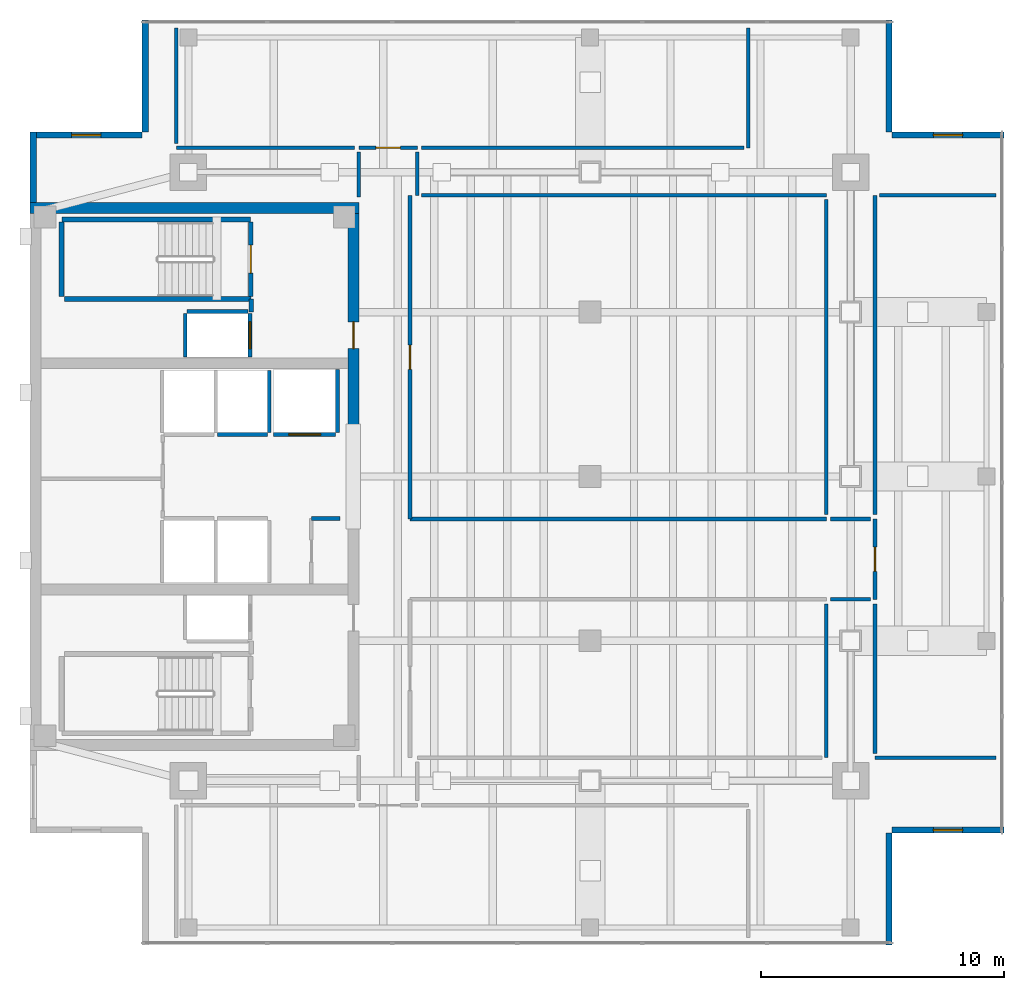
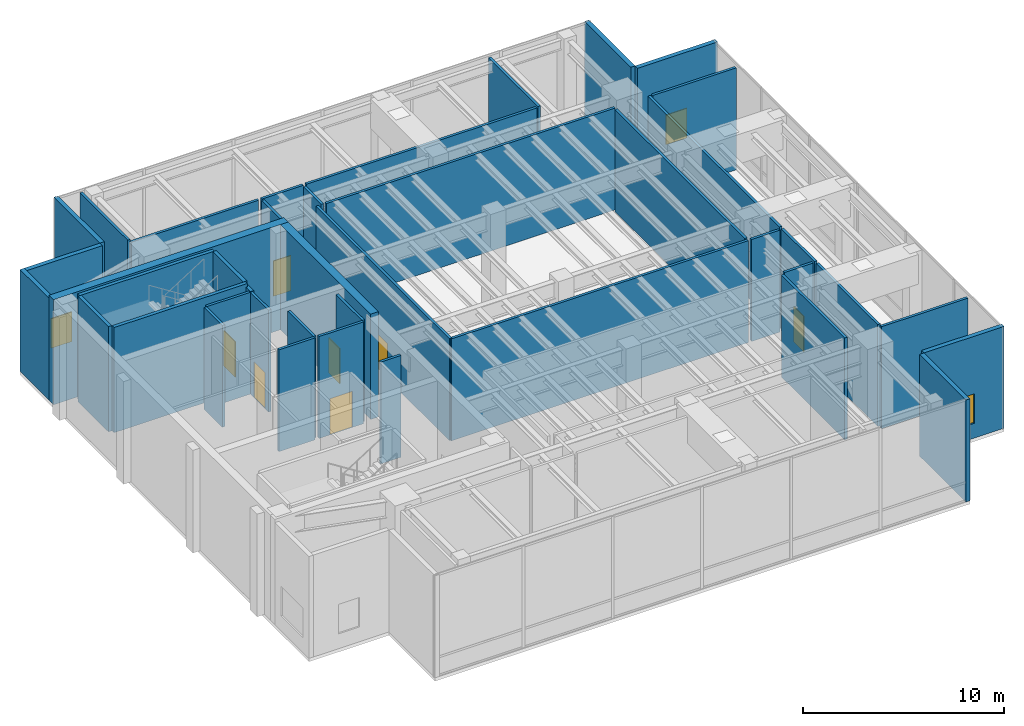
# One storey, part 9 of 11: 41 walls, 7 doors, 3 windows, 10 openings.
"""IFC4 building model written with IfcOpenShell, lengths in metres."""

import ifcopenshell
import ifcopenshell.guid

model = None  # the IFC model being written
_history = None  # IfcOwnerHistory: only IFC2X3 demands one
_inside = {}  # id of a spatial element -> (the spatial element, [elements in it])
_under = {}  # id of a project, library or spatial element -> (it, [spatial elements below it])
_declared = {}  # id of a project -> (the project, [libraries it declares])
_typed = {}  # id of a type object -> (the type object, [elements of that type])
_made_of = {}  # id of a material, layer set ... -> (it, [elements and type objects made of it])


def new_model(schema):
    """Start an empty IFC model of exactly this schema.

    Asked for "IFC4X3", IfcOpenShell would pick the latest addendum, in which some entities
    have other attributes; the version numbers below select the first issue.
    IFC2X3 requires an IfcOwnerHistory on every rooted entity: one is made here for all.
    """
    global model, _history
    if schema == "IFC4X3":
        model = ifcopenshell.file(schema_version=(4, 3, 0, 0))
    else:
        model = ifcopenshell.file(schema=schema)
    _inside.clear()
    _under.clear()
    _declared.clear()
    _typed.clear()
    _made_of.clear()
    _history = None
    if model.schema == "IFC2X3":
        org = make("IfcOrganization", Name="unknown")
        user = make(
            "IfcPersonAndOrganization",
            ThePerson=make("IfcPerson", FamilyName="unknown"),
            TheOrganization=org,
        )
        app = make(
            "IfcApplication",
            ApplicationDeveloper=org,
            Version="unknown",
            ApplicationFullName="unknown",
            ApplicationIdentifier="unknown",
        )
        _history = make(
            "IfcOwnerHistory",
            OwningUser=user,
            OwningApplication=app,
            ChangeAction="ADDED",
            CreationDate=0,
        )
    return model


def make(cls, **values):
    """One entity of the class cls with the attributes given. An attribute that is None is left unset."""
    return model.create_entity(
        cls, **{name: value for name, value in values.items() if value is not None}
    )


def rooted(cls, **values):
    """An entity with a GlobalId (a new one), such as an element, a storey or a relation."""
    return make(cls, GlobalId=ifcopenshell.guid.new(), OwnerHistory=_history, **values)


def si_unit(unit_type, name, prefix=None):
    """IfcSIUnit, for example si_unit("LENGTHUNIT", "METRE", prefix="MILLI")."""
    return make("IfcSIUnit", UnitType=unit_type, Prefix=prefix, Name=name)


def assignment(units):
    """IfcUnitAssignment: the units of a project."""
    return None if units is None else make("IfcUnitAssignment", Units=units)


def point(xyz):
    """IfcCartesianPoint."""
    return None if xyz is None else make("IfcCartesianPoint", Coordinates=xyz)


def direction(xyz):
    """IfcDirection."""
    return None if xyz is None else make("IfcDirection", DirectionRatios=xyz)


def frame(location, z_axis=None, x_axis=None):
    """IfcAxis2Placement3D, a coordinate frame: its origin and axes. An axis left out is left unset."""
    return make(
        "IfcAxis2Placement3D",
        Location=point(location),
        Axis=direction(z_axis),
        RefDirection=direction(x_axis),
    )


def frame_2d(location, x_axis=None):
    """IfcAxis2Placement2D, a coordinate frame in the plane: its origin and x axis."""
    return make(
        "IfcAxis2Placement2D", Location=point(location), RefDirection=direction(x_axis)
    )


def origin():
    """The frame at (0, 0, 0) with its axes left unset."""
    return frame((0.0, 0.0, 0.0))


def place(relative_to, where):
    """IfcLocalPlacement: puts the frame where relative to a parent placement (None: the world)."""
    return make(
        "IfcLocalPlacement", PlacementRelTo=relative_to, RelativePlacement=where
    )


def context(
    kind, dimensions, precision=None, world=None, true_north=None, identifier=None
):
    """IfcGeometricRepresentationContext, for example the 3D "Model" context."""
    return make(
        "IfcGeometricRepresentationContext",
        ContextIdentifier=identifier,
        ContextType=kind,
        CoordinateSpaceDimension=dimensions,
        Precision=precision,
        WorldCoordinateSystem=world,
        TrueNorth=true_north,
    )


def subcontext(parent, identifier, kind, view, scale=None):
    """IfcGeometricRepresentationSubContext, for example "Body" below "Model"."""
    return make(
        "IfcGeometricRepresentationSubContext",
        ContextIdentifier=identifier,
        ContextType=kind,
        ParentContext=parent,
        TargetScale=scale,
        TargetView=view,
    )


def project(units=None, contexts=None):
    """IfcProject with its units and contexts."""
    return rooted(
        "IfcProject",
        Name="project",
        RepresentationContexts=contexts,
        UnitsInContext=assignment(units),
    )


def spatial(cls, under=None, at=None, **own):
    """A site, building, storey or space (cls), placed at a placement, below another one or the project."""
    s = rooted(cls, ObjectPlacement=at, **own)
    if under is not None:
        _under.setdefault(under.id(), (under, []))[1].append(s)
    return s


def profile(cls, at=None, kind="AREA", **sizes):
    """A parametric profile (cls). Its sizes go by their IFC names, for example OverallWidth=200.0."""
    return make(cls, ProfileType=kind, Position=at, **sizes)


def rectangle(**sizes):
    """IfcRectangleProfileDef."""
    return profile("IfcRectangleProfileDef", **sizes)


def extrude(swept, where, along, depth):
    """IfcExtrudedAreaSolid: the profile swept, set in the frame where, extruded along a direction by depth."""
    return make(
        "IfcExtrudedAreaSolid",
        SweptArea=swept,
        Position=where,
        ExtrudedDirection=direction(along),
        Depth=depth,
    )


def shape(context_of_items, identifier, shape_type, items):
    """IfcShapeRepresentation: the items that make up one representation, for example the "Body"."""
    return make(
        "IfcShapeRepresentation",
        ContextOfItems=context_of_items,
        RepresentationIdentifier=identifier,
        RepresentationType=shape_type,
        Items=items,
    )


def material(Name=None, Category=None):
    """IfcMaterial."""
    return make("IfcMaterial", Name=Name, Category=Category)


def layer(
    of_material, thickness, ventilated=None, Name=None, Category=None, Priority=None
):
    """IfcMaterialLayer: one layer of a wall or slab, of a material (None: an air gap)."""
    return make(
        "IfcMaterialLayer",
        Material=of_material,
        LayerThickness=thickness,
        IsVentilated=ventilated,
        Name=Name,
        Category=Category,
        Priority=Priority,
    )


def layer_set(layers, Name=None):
    """IfcMaterialLayerSet."""
    return make("IfcMaterialLayerSet", MaterialLayers=layers, LayerSetName=Name)


def made_of(thing, what):
    """Note that an element or type object is made of a material, layer set ...; save() writes the relation."""
    if what is not None:
        _made_of.setdefault(what.id(), (what, []))[1].append(thing)
    return thing


def type_object(cls, material=None, **own):
    """A type object (cls), such as IfcWallType, which elements share."""
    return made_of(rooted(cls, **own), material)


def element(
    cls,
    number,
    at=None,
    inside=None,
    cuts=None,
    type_object=None,
    material=None,
    context=None,
    identifier="Body",
    shape_type=None,
    held_by="IfcProductDefinitionShape",
    body=None,
    shapes=None,
    **own,
):
    """One element of the class cls, such as IfcWall. Its Tag is "e" and its number.

    at: its placement. inside: the storey or other place that contains it. cuts: it is an
    opening in that element (IfcRelVoidsElement). A single representation is given by context,
    identifier, shape_type and body (its items); several are given by shapes. held_by: the class
    of the entity that holds the representations. save() writes the other relations.
    """
    e = rooted(cls, Tag="e%d" % number, ObjectPlacement=at, **own)
    if body is not None:
        shapes = [shape(context, identifier, shape_type, body)]
    if shapes is not None:
        e.Representation = make(held_by, Representations=shapes)
    if inside is not None:
        _inside.setdefault(inside.id(), (inside, []))[1].append(e)
    if cuts is not None:
        rooted(
            "IfcRelVoidsElement", RelatingBuildingElement=cuts, RelatedOpeningElement=e
        )
    if type_object is not None:
        _typed.setdefault(type_object.id(), (type_object, []))[1].append(e)
    return made_of(e, material)


def fill(opening, filler):
    """IfcRelFillsElement: the door or window that sits in an opening."""
    return rooted(
        "IfcRelFillsElement",
        RelatingOpeningElement=opening,
        RelatedBuildingElement=filler,
    )


def aggregate(whole, parts):
    """IfcRelAggregates: a whole, such as a stair, and the parts it consists of."""
    return rooted("IfcRelAggregates", RelatingObject=whole, RelatedObjects=parts)


def save(model, path):
    """Write the relations noted so far, then the file.

    IfcRelAggregates (storeys below a building ...), IfcRelContainedInSpatialStructure (elements
    in a storey), IfcRelDefinesByType, IfcRelAssociatesMaterial and IfcRelDeclares: one each for
    every whole, place, type object, material and project.
    """
    for whole, parts in _under.values():
        aggregate(whole, parts)
    for where, things in _inside.values():
        rooted(
            "IfcRelContainedInSpatialStructure",
            RelatedElements=things,
            RelatingStructure=where,
        )
    for kind, things in _typed.values():
        rooted("IfcRelDefinesByType", RelatedObjects=things, RelatingType=kind)
    for what, things in _made_of.values():
        rooted("IfcRelAssociatesMaterial", RelatedObjects=things, RelatingMaterial=what)
    for by, libraries in _declared.values():
        rooted("IfcRelDeclares", RelatingContext=by, RelatedDefinitions=libraries)
    model.write(path)


model = new_model("IFC4")

# Units and contexts
model_context = context("Model", 3, precision=1e-05, world=origin(), true_north=direction((0.0, 1.0)))
body_context = subcontext(model_context, "Body", "Model", "MODEL_VIEW")
ifc_project = project(units=[si_unit("LENGTHUNIT", "METRE"), si_unit("AREAUNIT", "SQUARE_METRE"), si_unit("VOLUMEUNIT", "CUBIC_METRE"), si_unit("PLANEANGLEUNIT", "RADIAN"), si_unit("MASSUNIT", "GRAM", prefix="KILO")], contexts=[model_context])

# Site, building, storey
site_placement = place(None, origin())
site = spatial("IfcSite", under=ifc_project, at=site_placement, CompositionType="ELEMENT")
building_placement = place(site_placement, origin())
building = spatial("IfcBuilding", under=site, at=building_placement, Name="Kinhvarn Gate Tower", CompositionType="ELEMENT")
storey_placement = place(building_placement, frame((0.0, 0.0, 296.64990234375)))
storey = spatial("IfcBuildingStorey", under=building, at=storey_placement, Name="L79", CompositionType="ELEMENT", Elevation=296.64990234375)

# Wall
ifc_material_1 = material(Name="Concrete C50/60", Category="concrete")
ifc_layer_1 = layer(ifc_material_1, 0.449951171875)
ifc_layer_set_1 = layer_set([ifc_layer_1], Name="Concrete C50/60")
wall_type_1 = type_object("IfcWallType", Name="WL-CORE-450", PredefinedType="SHEAR", material=ifc_layer_set_1)
wall_1_placement = place(storey_placement, frame((4.5, 36.27490234375, 0.0), z_axis=(0.0, 0.0, 1.0), x_axis=(1.0, 0.0, 0.0)))
element("IfcWall", 1, at=wall_1_placement, inside=storey, type_object=wall_type_1, Name="Core North Shear Wall L79 450 mm", PredefinedType="SHEAR", context=body_context, shape_type="SweptSolid", body=[
    extrude(rectangle(XDim=13.5, YDim=0.449951171875, at=frame_2d((6.75, 0.0))), origin(), (0.0, 0.0, 1.0), 6.400146484375),
])

# Wall, opening, door
wall_2_placement = place(storey_placement, frame((17.77490234375, 27.050048828125, 0.0), z_axis=(0.0, 0.0, 1.0), x_axis=(0.0, 1.0, 0.0)))
wall_2 = element("IfcWall", 2, at=wall_2_placement, inside=storey, type_object=wall_type_1, Name="Core East-North Shear Pier L79 450 mm", PredefinedType="SHEAR", context=body_context, shape_type="SweptSolid", body=[
    extrude(rectangle(XDim=9.0, YDim=0.449951171875, at=frame_2d((4.5, 0.0))), origin(), (0.0, 0.0, 1.0), 6.400146484375),
])
opening_1_placement = place(wall_2_placement, frame((3.449951171875, 0.0, 0.0)))
opening_1 = element("IfcOpeningElement", 3, at=opening_1_placement, cuts=wall_2, Name="Opening FD-02", PredefinedType="OPENING", context=body_context, shape_type="SweptSolid", body=[
    extrude(rectangle(XDim=1.10009765625, YDim=2.14990234375, at=frame_2d((0.550048828125, 1.074951171875))), frame((0.0, 0.23486328125, 0.0), z_axis=(0.0, -1.0, 0.0), x_axis=(1.0, 0.0, 0.0)), (0.0, 0.0, 1.0), 0.469970703125),
])
ifc_material_2 = material(Name="Anodised aluminium AW-6063", Category="aluminium")
door_type_1 = type_object("IfcDoorType", Name="DR-FD-1100", OperationType="NOTDEFINED", PredefinedType="DOOR", material=ifc_material_2)
door_1_placement = place(opening_1_placement, origin())
door_1 = element("IfcDoor", 4, at=door_1_placement, inside=storey, type_object=door_type_1, Name="Firefighting Lobby Core Door (L79)", OperationType="SINGLE_SWING_LEFT", OverallHeight=2.14990234375, OverallWidth=1.10009765625, PredefinedType="DOOR", context=body_context, shape_type="SweptSolid", body=[
    extrude(rectangle(XDim=1.10009765625, YDim=2.14990234375, at=frame_2d((0.550048828125, 1.074951171875))), frame((0.0, 0.02490234375, 0.0), z_axis=(0.0, -1.0, 0.0), x_axis=(1.0, 0.0, 0.0)), (0.0, 0.0, 1.0), 0.050048828125),
])
fill(opening_1, door_1)

# Walls
ifc_material_3 = material(Name="Fired architectural terracotta", Category="masonry")
ifc_layer_2 = layer(ifc_material_3, 0.25)
ifc_layer_set_2 = layer_set([ifc_layer_2], Name="Fired architectural terracotta")
wall_type_2 = type_object("IfcWallType", Name="WL-EXT-250", PredefinedType="SOLIDWALL", material=ifc_layer_set_2)
wall_3_placement = place(storey_placement, frame((4.625, 39.39990234375, 0.0), z_axis=(0.0, 0.0, 1.0), x_axis=(0.0, -1.0, 0.0)))
element("IfcWall", 5, at=wall_3_placement, inside=storey, type_object=wall_type_2, Name="Exterior Solidwall Wall EW-250 (L79 West-North)", PredefinedType="SOLIDWALL", context=body_context, shape_type="SweptSolid", body=[
    extrude(rectangle(XDim=2.89990234375, YDim=0.25, at=frame_2d((1.449951171875, 0.0))), origin(), (0.0, 0.0, 1.0), 6.2001953125),
])
wall_4_placement = place(storey_placement, frame((39.77490234375, 6.0, 0.0), z_axis=(0.0, 0.0, 1.0), x_axis=(0.0, 1.0, 0.0)))
element("IfcWall", 6, at=wall_4_placement, inside=storey, type_object=wall_type_2, Name="Exterior Solidwall Wall EW-250 (L79 SE-Notch-1)", PredefinedType="SOLIDWALL", context=body_context, shape_type="SweptSolid", body=[
    extrude(rectangle(XDim=4.60009765625, YDim=0.25, at=frame_2d((2.300048828125, 0.0))), origin(), (0.0, 0.0, 1.0), 6.2001953125),
])

# Wall, opening, window
wall_5_placement = place(storey_placement, frame((39.89990234375, 10.72509765625, 0.0), z_axis=(0.0, 0.0, 1.0), x_axis=(1.0, 0.0, 0.0)))
wall_5 = element("IfcWall", 7, at=wall_5_placement, inside=storey, type_object=wall_type_2, Name="Exterior Solidwall Wall EW-250 (L79 SE-Notch-2)", PredefinedType="SOLIDWALL", context=body_context, shape_type="SweptSolid", body=[
    extrude(rectangle(XDim=4.60009765625, YDim=0.25, at=frame_2d((2.300048828125, 0.0))), origin(), (0.0, 0.0, 1.0), 6.2001953125),
])
opening_2_placement = place(wall_5_placement, frame((1.699951171875, 0.0, 0.89990234375)))
opening_2 = element("IfcOpeningElement", 8, at=opening_2_placement, cuts=wall_5, Name="Opening WN-02", PredefinedType="OPENING", context=body_context, shape_type="SweptSolid", body=[
    extrude(rectangle(XDim=1.199951171875, YDim=1.800048828125, at=frame_2d((0.60009765625, 0.89990234375))), frame((0.0, 0.135009765625, 0.0), z_axis=(0.0, -1.0, 0.0), x_axis=(1.0, 0.0, 0.0)), (0.0, 0.0, 1.0), 0.27001953125),
])
ifc_material_4 = material(Name="Clear low-e double glazing", Category="glass")
window_type = type_object("IfcWindowType", Name="WIN-NTC-1200", PartitioningType="SINGLE_PANEL", PredefinedType="WINDOW", material=ifc_material_4)
window_1_placement = place(opening_2_placement, origin())
window_1 = element("IfcWindow", 9, at=window_1_placement, inside=storey, type_object=window_type, Name="Recessed Corner Notch Punched Window 1200x1800 mm (L79)", OverallHeight=1.800048828125, OverallWidth=1.199951171875, PartitioningType="SINGLE_PANEL", PredefinedType="WINDOW", context=body_context, shape_type="SweptSolid", body=[
    extrude(rectangle(XDim=1.199951171875, YDim=1.800048828125, at=frame_2d((0.60009765625, 0.89990234375))), frame((0.0, 0.030029296875, 0.0), z_axis=(0.0, -1.0, 0.0), x_axis=(1.0, 0.0, 0.0)), (0.0, 0.0, 1.0), 0.06005859375),
])
fill(opening_2, window_1)

wall_6_placement = place(storey_placement, frame((44.5, 39.27490234375, 0.0), z_axis=(0.0, 0.0, 1.0), x_axis=(-1.0, 0.0, 0.0)))
wall_6 = element("IfcWall", 10, at=wall_6_placement, inside=storey, type_object=wall_type_2, Name="Exterior Solidwall Wall EW-250 (L79 NE-Notch-1)", PredefinedType="SOLIDWALL", context=body_context, shape_type="SweptSolid", body=[
    extrude(rectangle(XDim=4.60009765625, YDim=0.25, at=frame_2d((2.300048828125, 0.0))), origin(), (0.0, 0.0, 1.0), 6.2001953125),
])
opening_3_placement = place(wall_6_placement, frame((1.699951171875, 0.0, 0.89990234375)))
opening_3 = element("IfcOpeningElement", 11, at=opening_3_placement, cuts=wall_6, Name="Opening WN-02", PredefinedType="OPENING", context=body_context, shape_type="SweptSolid", body=[
    extrude(rectangle(XDim=1.199951171875, YDim=1.800048828125, at=frame_2d((0.60009765625, 0.89990234375))), frame((0.0, 0.135009765625, 0.0), z_axis=(0.0, -1.0, 0.0), x_axis=(1.0, 0.0, 0.0)), (0.0, 0.0, 1.0), 0.27001953125),
])
window_2_placement = place(opening_3_placement, origin())
window_2 = element("IfcWindow", 12, at=window_2_placement, inside=storey, type_object=window_type, Name="Recessed Corner Notch Punched Window 1200x1800 mm (L79)", OverallHeight=1.800048828125, OverallWidth=1.199951171875, PartitioningType="SINGLE_PANEL", PredefinedType="WINDOW", context=body_context, shape_type="SweptSolid", body=[
    extrude(rectangle(XDim=1.199951171875, YDim=1.800048828125, at=frame_2d((0.60009765625, 0.89990234375))), frame((0.0, 0.030029296875, 0.0), z_axis=(0.0, -1.0, 0.0), x_axis=(1.0, 0.0, 0.0)), (0.0, 0.0, 1.0), 0.06005859375),
])
fill(opening_3, window_2)

# Walls
for number, where, z_axis, x_axis, name in (
    (13, (39.77490234375, 39.39990234375, 0.0), (0.0, 0.0, 1.0), (0.0, 1.0, 0.0), "Exterior Solidwall Wall EW-250 (L79 NE-Notch-2)"),
    (14, (9.22509765625, 44.0, 0.0), (0.0, 0.0, 1.0), (0.0, -1.0, 0.0), "Exterior Solidwall Wall EW-250 (L79 NW-Notch-1)"),
):
    element("IfcWall", number, at=place(storey_placement, frame(where, z_axis=z_axis, x_axis=x_axis)), inside=storey, type_object=wall_type_2, Name=name, PredefinedType="SOLIDWALL", context=body_context, shape_type="SweptSolid", body=[
        extrude(rectangle(XDim=4.60009765625, YDim=0.25, at=frame_2d((2.300048828125, 0.0))), origin(), (0.0, 0.0, 1.0), 6.2001953125),
    ])

# Wall, opening, window
wall_7_placement = place(storey_placement, frame((9.10009765625, 39.27490234375, 0.0), z_axis=(0.0, 0.0, 1.0), x_axis=(-1.0, 0.0, 0.0)))
wall_7 = element("IfcWall", 15, at=wall_7_placement, inside=storey, type_object=wall_type_2, Name="Exterior Solidwall Wall EW-250 (L79 NW-Notch-2)", PredefinedType="SOLIDWALL", context=body_context, shape_type="SweptSolid", body=[
    extrude(rectangle(XDim=4.60009765625, YDim=0.25, at=frame_2d((2.300048828125, 0.0))), origin(), (0.0, 0.0, 1.0), 6.2001953125),
])
opening_4_placement = place(wall_7_placement, frame((1.699951171875, 0.0, 0.89990234375)))
opening_4 = element("IfcOpeningElement", 16, at=opening_4_placement, cuts=wall_7, Name="Opening WN-02", PredefinedType="OPENING", context=body_context, shape_type="SweptSolid", body=[
    extrude(rectangle(XDim=1.199951171875, YDim=1.800048828125, at=frame_2d((0.60009765625, 0.89990234375))), frame((0.0, 0.135009765625, 0.0), z_axis=(0.0, -1.0, 0.0), x_axis=(1.0, 0.0, 0.0)), (0.0, 0.0, 1.0), 0.27001953125),
])
window_3_placement = place(opening_4_placement, origin())
window_3 = element("IfcWindow", 17, at=window_3_placement, inside=storey, type_object=window_type, Name="Recessed Corner Notch Punched Window 1200x1800 mm (L79)", OverallHeight=1.800048828125, OverallWidth=1.199951171875, PartitioningType="SINGLE_PANEL", PredefinedType="WINDOW", context=body_context, shape_type="SweptSolid", body=[
    extrude(rectangle(XDim=1.199951171875, YDim=1.800048828125, at=frame_2d((0.60009765625, 0.89990234375))), frame((0.0, 0.030029296875, 0.0), z_axis=(0.0, -1.0, 0.0), x_axis=(1.0, 0.0, 0.0)), (0.0, 0.0, 1.0), 0.06005859375),
])
fill(opening_4, window_3)

# Wall
ifc_material_5 = material(Name="Gypsum acoustic partition board")
ifc_layer_3 = layer(ifc_material_5, 0.14990234375)
ifc_layer_set_3 = layer_set([ifc_layer_3], Name="Gypsum acoustic partition board")
wall_type_3 = type_object("IfcWallType", Name="WL-PRT-150F", PredefinedType="PARTITIONING", material=ifc_layer_set_3)
wall_8_placement = place(storey_placement, frame((16.050048828125, 23.52001953125, 0.0), z_axis=(0.0, 0.0, 1.0), x_axis=(1.0, 0.0, 0.0)))
element("IfcWall", 18, at=wall_8_placement, inside=storey, type_object=wall_type_3, Name="Interior Partition PW-150F (L79)", PredefinedType="PARTITIONING", context=body_context, shape_type="SweptSolid", body=[
    extrude(rectangle(XDim=1.169921875, YDim=0.14990234375, at=frame_2d((0.5849609375, 0.0))), origin(), (0.0, 0.0, 1.0), 6.2001953125),
])

# Wall, opening, door
wall_9_placement = place(storey_placement, frame((20.10009765625, 23.5, 0.0), z_axis=(0.0, 0.0, 1.0), x_axis=(0.0, 1.0, 0.0)))
wall_9 = element("IfcWall", 19, at=wall_9_placement, inside=storey, type_object=wall_type_3, Name="Interior Partition PW-150F (L79)", PredefinedType="PARTITIONING", context=body_context, shape_type="SweptSolid", body=[
    extrude(rectangle(XDim=13.300048828125, YDim=0.14990234375, at=frame_2d((6.64990234375, 0.0))), origin(), (0.0, 0.0, 1.0), 6.2001953125),
])
opening_5_placement = place(wall_9_placement, frame((6.14990234375, 0.0, 0.0)))
opening_5 = element("IfcOpeningElement", 20, at=opening_5_placement, cuts=wall_9, Name="Opening FD-03", PredefinedType="OPENING", context=body_context, shape_type="SweptSolid", body=[
    extrude(rectangle(XDim=1.0, YDim=2.14990234375, at=frame_2d((0.5, 1.074951171875))), frame((0.0, 0.0849609375, 0.0), z_axis=(0.0, -1.0, 0.0), x_axis=(1.0, 0.0, 0.0)), (0.0, 0.0, 1.0), 0.169921875),
])
door_type_2 = type_object("IfcDoorType", Name="DR-FD-1000", OperationType="NOTDEFINED", PredefinedType="DOOR", material=ifc_material_2)
door_2_placement = place(opening_5_placement, origin())
door_2 = element("IfcDoor", 21, at=door_2_placement, inside=storey, type_object=door_type_2, Name="Rated Plant & Corridor Fire Door 1000x2150 mm (L79)", OperationType="SINGLE_SWING_LEFT", OverallHeight=2.14990234375, OverallWidth=1.0, PredefinedType="DOOR", context=body_context, shape_type="SweptSolid", body=[
    extrude(rectangle(XDim=1.0, YDim=2.14990234375, at=frame_2d((0.5, 1.074951171875))), frame((0.0, 0.02490234375, 0.0), z_axis=(0.0, -1.0, 0.0), x_axis=(1.0, 0.0, 0.0)), (0.0, 0.0, 1.0), 0.050048828125),
])
fill(opening_5, door_2)

wall_10_placement = place(storey_placement, frame((18.0, 38.75, 0.0), z_axis=(0.0, 0.0, 1.0), x_axis=(1.0, 0.0, 0.0)))
wall_10 = element("IfcWall", 22, at=wall_10_placement, inside=storey, type_object=wall_type_3, Name="Interior Partition PW-150F (L79)", PredefinedType="PARTITIONING", context=body_context, shape_type="SweptSolid", body=[
    extrude(rectangle(XDim=2.39990234375, YDim=0.14990234375, at=frame_2d((1.199951171875, 0.0))), origin(), (0.0, 0.0, 1.0), 6.2001953125),
])
opening_6_placement = place(wall_10_placement, frame((0.699951171875, 0.0, 0.0)))
opening_6 = element("IfcOpeningElement", 23, at=opening_6_placement, cuts=wall_10, Name="Opening FD-03", PredefinedType="OPENING", context=body_context, shape_type="SweptSolid", body=[
    extrude(rectangle(XDim=1.0, YDim=2.14990234375, at=frame_2d((0.5, 1.074951171875))), frame((0.0, 0.0849609375, 0.0), z_axis=(0.0, -1.0, 0.0), x_axis=(1.0, 0.0, 0.0)), (0.0, 0.0, 1.0), 0.169921875),
])
door_3_placement = place(opening_6_placement, origin())
door_3 = element("IfcDoor", 24, at=door_3_placement, inside=storey, type_object=door_type_2, Name="Rated Plant & Corridor Fire Door 1000x2150 mm (L79)", OperationType="SINGLE_SWING_LEFT", OverallHeight=2.14990234375, OverallWidth=1.0, PredefinedType="DOOR", context=body_context, shape_type="SweptSolid", body=[
    extrude(rectangle(XDim=1.0, YDim=2.14990234375, at=frame_2d((0.5, 1.074951171875))), frame((0.0, 0.02490234375, 0.0), z_axis=(0.0, -1.0, 0.0), x_axis=(1.0, 0.0, 0.0)), (0.0, 0.0, 1.0), 0.050048828125),
])
fill(opening_6, door_3)

# Wall
wall_11_placement = place(storey_placement, frame((20.10009765625, 23.5, 0.0), z_axis=(0.0, 0.0, 1.0), x_axis=(1.0, 0.0, 0.0)))
element("IfcWall", 25, at=wall_11_placement, inside=storey, type_object=wall_type_3, Name="Interior Partition PW-150F (L79)", PredefinedType="PARTITIONING", context=body_context, shape_type="SweptSolid", body=[
    extrude(rectangle(XDim=17.099853515625, YDim=0.14990234375, at=frame_2d((8.5498046875, 0.0))), origin(), (0.0, 0.0, 1.0), 6.2001953125),
])

# Wall, opening, door
wall_12_placement = place(storey_placement, frame((39.199951171875, 20.199951171875, 0.0), z_axis=(0.0, 0.0, 1.0), x_axis=(0.0, 1.0, 0.0)))
wall_12 = element("IfcWall", 26, at=wall_12_placement, inside=storey, type_object=wall_type_3, Name="Interior Partition PW-150F (L79)", PredefinedType="PARTITIONING", context=body_context, shape_type="SweptSolid", body=[
    extrude(rectangle(XDim=3.300048828125, YDim=0.14990234375, at=frame_2d((1.64990234375, 0.0))), origin(), (0.0, 0.0, 1.0), 6.2001953125),
])
opening_7_placement = place(wall_12_placement, frame((1.14990234375, 0.0, 0.0)))
opening_7 = element("IfcOpeningElement", 27, at=opening_7_placement, cuts=wall_12, Name="Opening FD-03", PredefinedType="OPENING", context=body_context, shape_type="SweptSolid", body=[
    extrude(rectangle(XDim=1.0, YDim=2.14990234375, at=frame_2d((0.5, 1.074951171875))), frame((0.0, 0.0849609375, 0.0), z_axis=(0.0, -1.0, 0.0), x_axis=(1.0, 0.0, 0.0)), (0.0, 0.0, 1.0), 0.169921875),
])
door_4_placement = place(opening_7_placement, origin())
door_4 = element("IfcDoor", 28, at=door_4_placement, inside=storey, type_object=door_type_2, Name="Rated Plant & Corridor Fire Door 1000x2150 mm (L79)", OperationType="SINGLE_SWING_RIGHT", OverallHeight=2.14990234375, OverallWidth=1.0, PredefinedType="DOOR", context=body_context, shape_type="SweptSolid", body=[
    extrude(rectangle(XDim=1.0, YDim=2.14990234375, at=frame_2d((0.5, 1.074951171875))), frame((0.0, 0.02490234375, 0.0), z_axis=(0.0, -1.0, 0.0), x_axis=(1.0, 0.0, 0.0)), (0.0, 0.0, 1.0), 0.050048828125),
])
fill(opening_7, door_4)

# Walls
wall_13_placement = place(storey_placement, frame((17.820068359375, 38.75, 0.0), z_axis=(0.0, 0.0, 1.0), x_axis=(-1.0, 0.0, 0.0)))
element("IfcWall", 29, at=wall_13_placement, inside=storey, type_object=wall_type_3, Name="Interior Partition PW-150F (L79)", PredefinedType="PARTITIONING", context=body_context, shape_type="SweptSolid", body=[
    extrude(rectangle(XDim=7.320068359375, YDim=0.14990234375, at=frame_2d((3.66015625, 0.0))), origin(), (0.0, 0.0, 1.0), 6.2001953125),
])
wall_14_placement = place(storey_placement, frame((10.5, 38.929931640625, 0.0), z_axis=(0.0, 0.0, 1.0), x_axis=(0.0, 1.0, 0.0)))
element("IfcWall", 30, at=wall_14_placement, inside=storey, type_object=wall_type_3, Name="Interior Partition PW-150F (L79)", PredefinedType="PARTITIONING", context=body_context, shape_type="SweptSolid", body=[
    extrude(rectangle(XDim=4.75, YDim=0.14990234375, at=frame_2d((2.375, 0.0))), origin(), (0.0, 0.0, 1.0), 6.2001953125),
])
wall_15_placement = place(storey_placement, frame((34.0, 43.679931640625, 0.0), z_axis=(0.0, 0.0, 1.0), x_axis=(0.0, -1.0, 0.0)))
element("IfcWall", 31, at=wall_15_placement, inside=storey, type_object=wall_type_3, Name="Interior Partition PW-150F (L79)", PredefinedType="PARTITIONING", context=body_context, shape_type="SweptSolid", body=[
    extrude(rectangle(XDim=4.929931640625, YDim=0.14990234375, at=frame_2d((2.46484375, 0.0))), origin(), (0.0, 0.0, 1.0), 6.2001953125),
])
wall_16_placement = place(storey_placement, frame((33.820068359375, 38.75, 0.0), z_axis=(0.0, 0.0, 1.0), x_axis=(-1.0, 0.0, 0.0)))
element("IfcWall", 32, at=wall_16_placement, inside=storey, type_object=wall_type_3, Name="Interior Partition PW-150F (L79)", PredefinedType="PARTITIONING", context=body_context, shape_type="SweptSolid", body=[
    extrude(rectangle(XDim=13.239990234375, YDim=0.14990234375, at=frame_2d((6.6201171875, 0.0))), origin(), (0.0, 0.0, 1.0), 6.2001953125),
])
wall_17_placement = place(storey_placement, frame((20.39990234375, 38.570068359375, 0.0), z_axis=(0.0, 0.0, 1.0), x_axis=(0.0, -1.0, 0.0)))
element("IfcWall", 33, at=wall_17_placement, inside=storey, type_object=wall_type_3, Name="Interior Partition PW-150F (L79)", PredefinedType="PARTITIONING", context=body_context, shape_type="SweptSolid", body=[
    extrude(rectangle(XDim=1.77001953125, YDim=0.14990234375, at=frame_2d((0.885009765625, 0.0))), origin(), (0.0, 0.0, 1.0), 6.2001953125),
])
wall_18_placement = place(storey_placement, frame((20.580078125, 36.800048828125, 0.0), z_axis=(0.0, 0.0, 1.0), x_axis=(1.0, 0.0, 0.0)))
element("IfcWall", 34, at=wall_18_placement, inside=storey, type_object=wall_type_3, Name="Interior Partition PW-150F (L79)", PredefinedType="PARTITIONING", context=body_context, shape_type="SweptSolid", body=[
    extrude(rectangle(XDim=16.619873046875, YDim=0.14990234375, at=frame_2d((8.31005859375, 0.0))), origin(), (0.0, 0.0, 1.0), 6.2001953125),
])
wall_19_placement = place(storey_placement, frame((37.199951171875, 36.6201171875, 0.0), z_axis=(0.0, 0.0, 1.0), x_axis=(0.0, -1.0, 0.0)))
element("IfcWall", 35, at=wall_19_placement, inside=storey, type_object=wall_type_3, Name="Interior Partition PW-150F (L79)", PredefinedType="PARTITIONING", context=body_context, shape_type="SweptSolid", body=[
    extrude(rectangle(XDim=12.940185546875, YDim=0.14990234375, at=frame_2d((6.47021484375, 0.0))), origin(), (0.0, 0.0, 1.0), 6.2001953125),
])
wall_20_placement = place(storey_placement, frame((37.3798828125, 23.5, 0.0), z_axis=(0.0, 0.0, 1.0), x_axis=(1.0, 0.0, 0.0)))
element("IfcWall", 36, at=wall_20_placement, inside=storey, type_object=wall_type_3, Name="Interior Partition PW-150F (L79)", PredefinedType="PARTITIONING", context=body_context, shape_type="SweptSolid", body=[
    extrude(rectangle(XDim=1.64013671875, YDim=0.14990234375, at=frame_2d((0.820068359375, 0.0))), origin(), (0.0, 0.0, 1.0), 6.2001953125),
])
wall_21_placement = place(storey_placement, frame((39.199951171875, 23.679931640625, 0.0), z_axis=(0.0, 0.0, 1.0), x_axis=(0.0, 1.0, 0.0)))
element("IfcWall", 37, at=wall_21_placement, inside=storey, type_object=wall_type_3, Name="Interior Partition PW-150F (L79)", PredefinedType="PARTITIONING", context=body_context, shape_type="SweptSolid", body=[
    extrude(rectangle(XDim=13.1201171875, YDim=0.14990234375, at=frame_2d((6.56005859375, 0.0))), origin(), (0.0, 0.0, 1.0), 6.2001953125),
])
wall_22_placement = place(storey_placement, frame((39.3798828125, 36.800048828125, 0.0), z_axis=(0.0, 0.0, 1.0), x_axis=(1.0, 0.0, 0.0)))
element("IfcWall", 38, at=wall_22_placement, inside=storey, type_object=wall_type_3, Name="Interior Partition PW-150F (L79)", PredefinedType="PARTITIONING", context=body_context, shape_type="SweptSolid", body=[
    extrude(rectangle(XDim=4.800048828125, YDim=0.14990234375, at=frame_2d((2.39990234375, 0.0))), origin(), (0.0, 0.0, 1.0), 6.2001953125),
])
wall_23_placement = place(storey_placement, frame((44.179931640625, 13.699951171875, 0.0), z_axis=(0.0, 0.0, 1.0), x_axis=(-1.0, 0.0, 0.0)))
element("IfcWall", 39, at=wall_23_placement, inside=storey, type_object=wall_type_3, Name="Interior Partition PW-150F (L79)", PredefinedType="PARTITIONING", context=body_context, shape_type="SweptSolid", body=[
    extrude(rectangle(XDim=4.97998046875, YDim=0.14990234375, at=frame_2d((2.489990234375, 0.0))), origin(), (0.0, 0.0, 1.0), 6.2001953125),
])
wall_24_placement = place(storey_placement, frame((39.199951171875, 13.8798828125, 0.0), z_axis=(0.0, 0.0, 1.0), x_axis=(0.0, 1.0, 0.0)))
element("IfcWall", 40, at=wall_24_placement, inside=storey, type_object=wall_type_3, Name="Interior Partition PW-150F (L79)", PredefinedType="PARTITIONING", context=body_context, shape_type="SweptSolid", body=[
    extrude(rectangle(XDim=6.14013671875, YDim=0.14990234375, at=frame_2d((3.070068359375, 0.0))), origin(), (0.0, 0.0, 1.0), 6.2001953125),
])
wall_25_placement = place(storey_placement, frame((39.02001953125, 20.199951171875, 0.0), z_axis=(0.0, 0.0, 1.0), x_axis=(-1.0, 0.0, 0.0)))
element("IfcWall", 41, at=wall_25_placement, inside=storey, type_object=wall_type_3, Name="Interior Partition PW-150F (L79)", PredefinedType="PARTITIONING", context=body_context, shape_type="SweptSolid", body=[
    extrude(rectangle(XDim=1.64013671875, YDim=0.14990234375, at=frame_2d((0.820068359375, 0.0))), origin(), (0.0, 0.0, 1.0), 6.2001953125),
])
wall_26_placement = place(storey_placement, frame((37.199951171875, 20.02001953125, 0.0), z_axis=(0.0, 0.0, 1.0), x_axis=(0.0, -1.0, 0.0)))
element("IfcWall", 42, at=wall_26_placement, inside=storey, type_object=wall_type_3, Name="Interior Partition PW-150F (L79)", PredefinedType="PARTITIONING", context=body_context, shape_type="SweptSolid", body=[
    extrude(rectangle(XDim=6.320068359375, YDim=0.14990234375, at=frame_2d((3.16015625, 0.0))), origin(), (0.0, 0.0, 1.0), 6.2001953125),
])
wall_27_placement = place(storey_placement, frame((18.0, 36.719970703125, 0.0), z_axis=(0.0, 0.0, 1.0), x_axis=(0.0, 1.0, 0.0)))
element("IfcWall", 43, at=wall_27_placement, inside=storey, type_object=wall_type_3, Name="Interior Partition PW-150F (L79)", PredefinedType="PARTITIONING", context=body_context, shape_type="SweptSolid", body=[
    extrude(rectangle(XDim=1.85009765625, YDim=0.14990234375, at=frame_2d((0.925048828125, 0.0))), origin(), (0.0, 0.0, 1.0), 6.2001953125),
])
ifc_layer_4 = layer(ifc_material_5, 0.199951171875)
ifc_layer_set_4 = layer_set([ifc_layer_4], Name="Gypsum acoustic partition board")
wall_type_4 = type_object("IfcWallType", Name="WL-PRT-200", PredefinedType="PARTITIONING", material=ifc_layer_set_4)
wall_28_placement = place(storey_placement, frame((13.580078125, 32.0, 0.0), z_axis=(0.0, 0.0, 1.0), x_axis=(0.0, 1.0, 0.0)))
element("IfcWall", 44, at=wall_28_placement, inside=storey, type_object=wall_type_4, Name="Interior Partition PW-200 (L79)", PredefinedType="PARTITIONING", context=body_context, shape_type="SweptSolid", body=[
    extrude(rectangle(XDim=0.5400390625, YDim=0.199951171875, at=frame_2d((0.27001953125, 0.0))), origin(), (0.0, 0.0, 1.0), 6.2001953125),
])
ifc_layer_5 = layer(ifc_material_5, 0.14990234375)
ifc_layer_set_5 = layer_set([ifc_layer_5], Name="Gypsum acoustic partition board")
wall_type_5 = type_object("IfcWallType", Name="WL-SHF-150", PredefinedType="PARTITIONING", material=ifc_layer_set_5)
wall_29_placement = place(storey_placement, frame((12.199951171875, 26.97509765625, 0.0), z_axis=(0.0, 0.0, 1.0), x_axis=(1.0, 0.0, 0.0)))
element("IfcWall", 45, at=wall_29_placement, inside=storey, type_object=wall_type_5, Name="Elevator PH-12 Landing Wall (L79)", PredefinedType="PARTITIONING", context=body_context, shape_type="SweptSolid", body=[
    extrude(rectangle(XDim=2.050048828125, YDim=0.14990234375, at=frame_2d((1.02490234375, 0.0))), origin(), (0.0, 0.0, 1.0), 6.2001953125),
])
wall_30_placement = place(storey_placement, frame((14.324951171875, 27.050048828125, 0.0), z_axis=(0.0, 0.0, 1.0), x_axis=(0.0, 1.0, 0.0)))
element("IfcWall", 46, at=wall_30_placement, inside=storey, type_object=wall_type_5, Name="Elevator PH-12 Hoistway Wall E (L79)", PredefinedType="PARTITIONING", context=body_context, shape_type="SweptSolid", body=[
    extrude(rectangle(XDim=2.550048828125, YDim=0.14990234375, at=frame_2d((1.27490234375, 0.0))), origin(), (0.0, 0.0, 1.0), 6.2001953125),
])

# Wall, opening, door
wall_31_placement = place(storey_placement, frame((14.5, 26.97509765625, 0.0), z_axis=(0.0, 0.0, 1.0), x_axis=(1.0, 0.0, 0.0)))
wall_31 = element("IfcWall", 47, at=wall_31_placement, inside=storey, type_object=wall_type_5, Name="Elevator SV-01 Landing Wall (L79)", PredefinedType="PARTITIONING", context=body_context, shape_type="SweptSolid", body=[
    extrude(rectangle(XDim=2.550048828125, YDim=0.14990234375, at=frame_2d((1.27490234375, 0.0))), origin(), (0.0, 0.0, 1.0), 6.2001953125),
])
opening_8_placement = place(wall_31_placement, frame((0.625, 0.0, 0.0)))
opening_8 = element("IfcOpeningElement", 48, at=opening_8_placement, cuts=wall_31, Name="Opening LD-02", PredefinedType="OPENING", context=body_context, shape_type="SweptSolid", body=[
    extrude(rectangle(XDim=1.300048828125, YDim=2.199951171875, at=frame_2d((0.64990234375, 1.10009765625))), frame((0.0, 0.0849609375, 0.0), z_axis=(0.0, -1.0, 0.0), x_axis=(1.0, 0.0, 0.0)), (0.0, 0.0, 1.0), 0.169921875),
])
door_type_3 = type_object("IfcDoorType", Name="DR-LND-SRV", OperationType="NOTDEFINED", PredefinedType="DOOR", material=ifc_material_2)
door_5_placement = place(opening_8_placement, origin())
door_5 = element("IfcDoor", 49, at=door_5_placement, inside=storey, type_object=door_type_3, Name="Elevator SV-01 Sliding Landing Door (L79)", OperationType="DOUBLE_DOOR_SLIDING", OverallHeight=2.199951171875, OverallWidth=1.300048828125, PredefinedType="DOOR", context=body_context, shape_type="SweptSolid", body=[
    extrude(rectangle(XDim=1.300048828125, YDim=2.199951171875, at=frame_2d((0.64990234375, 1.10009765625))), frame((0.0, 0.02490234375, 0.0), z_axis=(0.0, -1.0, 0.0), x_axis=(1.0, 0.0, 0.0)), (0.0, 0.0, 1.0), 0.050048828125),
])
fill(opening_8, door_5)

# Walls
wall_32_placement = place(storey_placement, frame((17.125, 27.050048828125, 0.0), z_axis=(0.0, 0.0, 1.0), x_axis=(0.0, 1.0, 0.0)))
element("IfcWall", 50, at=wall_32_placement, inside=storey, type_object=wall_type_5, Name="Elevator SV-01 Hoistway Wall E (L79)", PredefinedType="PARTITIONING", context=body_context, shape_type="SweptSolid", body=[
    extrude(rectangle(XDim=2.599853515625, YDim=0.14990234375, at=frame_2d((1.2998046875, 0.0))), origin(), (0.0, 0.0, 1.0), 6.2001953125),
])
wall_33_placement = place(storey_placement, frame((10.949951171875, 32.02490234375, 0.0), z_axis=(0.0, 0.0, 1.0), x_axis=(1.0, 0.0, 0.0)))
element("IfcWall", 51, at=wall_33_placement, inside=storey, type_object=wall_type_5, Name="Elevator FF2 Hoistway Wall N (L79)", PredefinedType="PARTITIONING", context=body_context, shape_type="SweptSolid", body=[
    extrude(rectangle(XDim=2.5, YDim=0.14990234375, at=frame_2d((1.25, 0.0))), origin(), (0.0, 0.0, 1.0), 6.2001953125),
])
wall_34_placement = place(storey_placement, frame((10.875, 30.14990234375, 0.0), z_axis=(0.0, 0.0, 1.0), x_axis=(0.0, 1.0, 0.0)))
element("IfcWall", 52, at=wall_34_placement, inside=storey, type_object=wall_type_5, Name="Elevator FF2 Hoistway Wall W (L79)", PredefinedType="PARTITIONING", context=body_context, shape_type="SweptSolid", body=[
    extrude(rectangle(XDim=1.800048828125, YDim=0.14990234375, at=frame_2d((0.89990234375, 0.0))), origin(), (0.0, 0.0, 1.0), 6.2001953125),
])

# Wall, opening, door
wall_35_placement = place(storey_placement, frame((13.52490234375, 30.14990234375, 0.0), z_axis=(0.0, 0.0, 1.0), x_axis=(0.0, 1.0, 0.0)))
wall_35 = element("IfcWall", 53, at=wall_35_placement, inside=storey, type_object=wall_type_5, Name="Elevator FF2 Landing Wall (L79)", PredefinedType="PARTITIONING", context=body_context, shape_type="SweptSolid", body=[
    extrude(rectangle(XDim=1.800048828125, YDim=0.14990234375, at=frame_2d((0.89990234375, 0.0))), origin(), (0.0, 0.0, 1.0), 6.2001953125),
])
opening_9_placement = place(wall_35_placement, frame((0.35009765625, 0.0, 0.0)))
opening_9 = element("IfcOpeningElement", 54, at=opening_9_placement, cuts=wall_35, Name="Opening LD-03", PredefinedType="OPENING", context=body_context, shape_type="SweptSolid", body=[
    extrude(rectangle(XDim=1.10009765625, YDim=2.199951171875, at=frame_2d((0.550048828125, 1.10009765625))), frame((0.0, 0.0849609375, 0.0), z_axis=(0.0, -1.0, 0.0), x_axis=(1.0, 0.0, 0.0)), (0.0, 0.0, 1.0), 0.169921875),
])
door_type_4 = type_object("IfcDoorType", Name="DR-LND-FF", OperationType="NOTDEFINED", PredefinedType="DOOR", material=ifc_material_2)
door_6_placement = place(opening_9_placement, origin())
door_6 = element("IfcDoor", 55, at=door_6_placement, inside=storey, type_object=door_type_4, Name="Elevator FF2 Sliding Landing Door (L79)", OperationType="DOUBLE_DOOR_SLIDING", OverallHeight=2.199951171875, OverallWidth=1.10009765625, PredefinedType="DOOR", context=body_context, shape_type="SweptSolid", body=[
    extrude(rectangle(XDim=1.10009765625, YDim=2.199951171875, at=frame_2d((0.550048828125, 1.10009765625))), frame((0.0, 0.02490234375, 0.0), z_axis=(0.0, -1.0, 0.0), x_axis=(1.0, 0.0, 0.0)), (0.0, 0.0, 1.0), 0.050048828125),
])
fill(opening_9, door_6)

# Walls
ifc_material_6 = material(Name="Concrete C40/50", Category="concrete")
ifc_layer_6 = layer(ifc_material_6, 0.199951171875)
ifc_layer_set_6 = layer_set([ifc_layer_6], Name="Concrete C40/50")
wall_type_6 = type_object("IfcWallType", Name="WL-SHF-200", PredefinedType="SOLIDWALL", material=ifc_layer_set_6)
wall_36_placement = place(storey_placement, frame((5.800048828125, 35.800048828125, 0.0), z_axis=(0.0, 0.0, 1.0), x_axis=(1.0, 0.0, 0.0)))
element("IfcWall", 56, at=wall_36_placement, inside=storey, type_object=wall_type_6, Name="Stair ST2 North Shaft Wall (L79)", PredefinedType="SOLIDWALL", context=body_context, shape_type="SweptSolid", body=[
    extrude(rectangle(XDim=7.75, YDim=0.199951171875, at=frame_2d((3.875, 0.0))), origin(), (0.0, 0.0, 1.0), 6.400146484375),
])
wall_37_placement = place(storey_placement, frame((5.7900390625, 32.64990234375, 0.0), z_axis=(0.0, 0.0, 1.0), x_axis=(0.0, 1.0, 0.0)))
element("IfcWall", 57, at=wall_37_placement, inside=storey, type_object=wall_type_6, Name="Stair ST2 West Shaft Wall (L79)", PredefinedType="SOLIDWALL", context=body_context, shape_type="SweptSolid", body=[
    extrude(rectangle(XDim=3.050048828125, YDim=0.199951171875, at=frame_2d((1.52490234375, 0.0))), origin(), (0.0, 0.0, 1.0), 6.400146484375),
])
wall_38_placement = place(storey_placement, frame((5.89990234375, 32.5400390625, 0.0), z_axis=(0.0, 0.0, 1.0), x_axis=(1.0, 0.0, 0.0)))
element("IfcWall", 58, at=wall_38_placement, inside=storey, type_object=wall_type_6, Name="Stair ST2 South Shaft Wall (L79)", PredefinedType="SOLIDWALL", context=body_context, shape_type="SweptSolid", body=[
    extrude(rectangle(XDim=7.66015625, YDim=0.199951171875, at=frame_2d((3.830078125, 0.0))), origin(), (0.0, 0.0, 1.0), 6.400146484375),
])

# Wall, opening, door
wall_39_placement = place(storey_placement, frame((13.56005859375, 32.64990234375, 0.0), z_axis=(0.0, 0.0, 1.0), x_axis=(0.0, 1.0, 0.0)))
wall_39 = element("IfcWall", 59, at=wall_39_placement, inside=storey, type_object=wall_type_6, Name="Stair ST2 East Entry Wall (L79)", PredefinedType="SOLIDWALL", context=body_context, shape_type="SweptSolid", body=[
    extrude(rectangle(XDim=3.050048828125, YDim=0.199951171875, at=frame_2d((1.52490234375, 0.0))), origin(), (0.0, 0.0, 1.0), 6.400146484375),
])
opening_10_placement = place(wall_39_placement, frame((0.949951171875, 0.0, 0.0)))
opening_10 = element("IfcOpeningElement", 60, at=opening_10_placement, cuts=wall_39, Name="Opening FD-01", PredefinedType="OPENING", context=body_context, shape_type="SweptSolid", body=[
    extrude(rectangle(XDim=1.14990234375, YDim=2.14990234375, at=frame_2d((0.574951171875, 1.074951171875))), frame((0.0, 0.10986328125, 0.0), z_axis=(0.0, -1.0, 0.0), x_axis=(1.0, 0.0, 0.0)), (0.0, 0.0, 1.0), 0.219970703125),
])
door_type_5 = type_object("IfcDoorType", Name="DR-ST-1150", OperationType="NOTDEFINED", PredefinedType="DOOR", material=ifc_material_2)
door_7_placement = place(opening_10_placement, origin())
door_7 = element("IfcDoor", 61, at=door_7_placement, inside=storey, type_object=door_type_5, Name="Exit Stair ST2 Fire Door (L79)", OperationType="SINGLE_SWING_RIGHT", OverallHeight=2.14990234375, OverallWidth=1.14990234375, PredefinedType="DOOR", context=body_context, shape_type="SweptSolid", body=[
    extrude(rectangle(XDim=1.14990234375, YDim=2.14990234375, at=frame_2d((0.574951171875, 1.074951171875))), frame((0.0, 0.02490234375, 0.0), z_axis=(0.0, -1.0, 0.0), x_axis=(1.0, 0.0, 0.0)), (0.0, 0.0, 1.0), 0.050048828125),
])
fill(opening_10, door_7)

save(model, "model.ifc")
